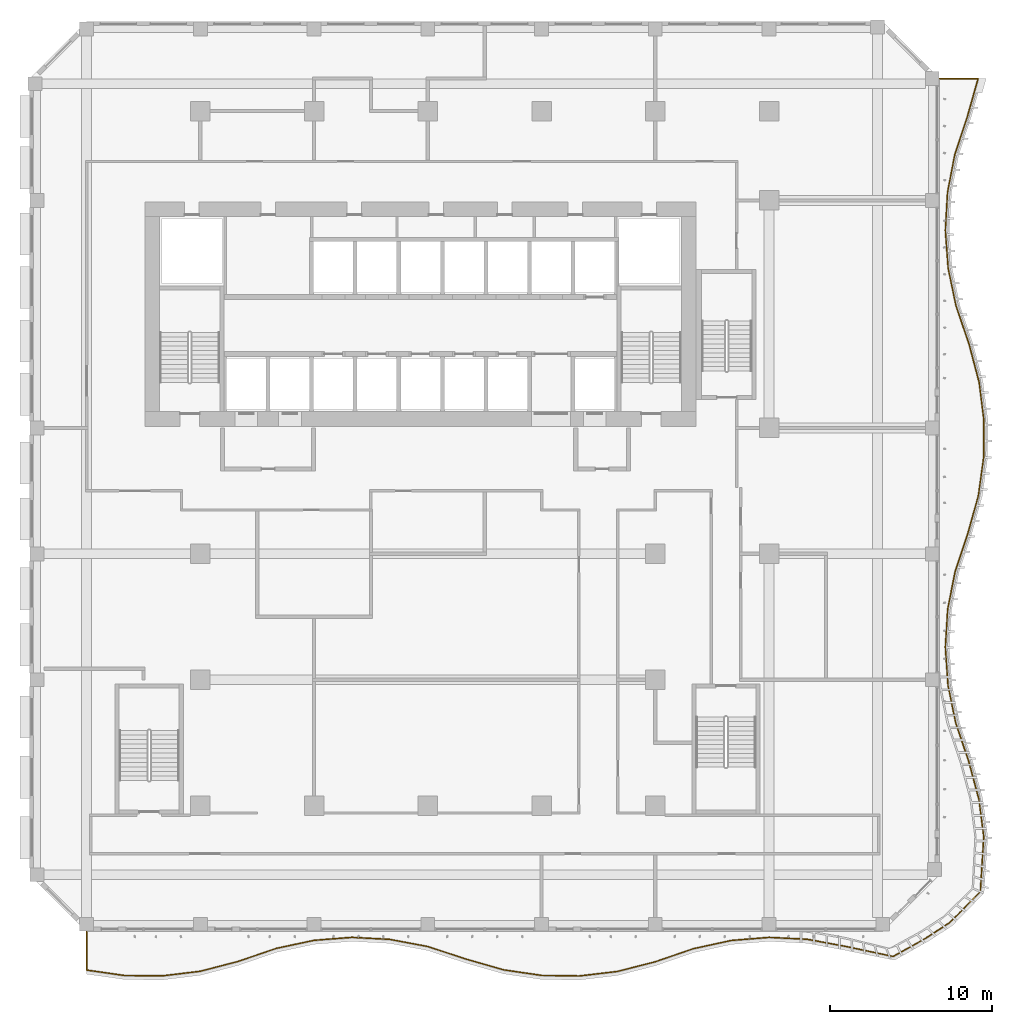
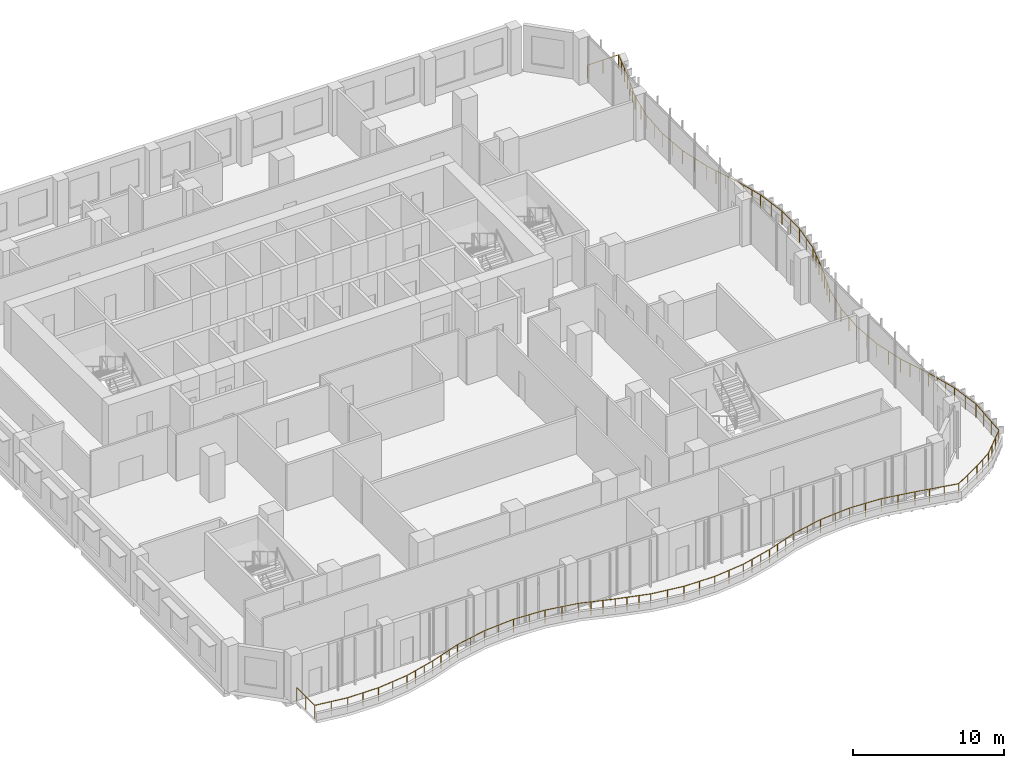
# One storey, part 20 of 26: 1 railing.
"""IFC4 building model written with IfcOpenShell, lengths in metres."""

from ifc_helpers import new_model, si_unit, direction, frame, origin, origin_2d, place, context, subcontext, project, spatial, circle, extrude, material, type_object, element, save


model = new_model("IFC4")

# Units and contexts
model_context = context("Model", 3, precision=1e-05, world=origin(), true_north=direction((0.0, 1.0)))
body_context = subcontext(model_context, "Body", "Model", "MODEL_VIEW")
ifc_project = project(units=[si_unit("LENGTHUNIT", "METRE"), si_unit("AREAUNIT", "SQUARE_METRE"), si_unit("VOLUMEUNIT", "CUBIC_METRE"), si_unit("PLANEANGLEUNIT", "RADIAN"), si_unit("MASSUNIT", "GRAM", prefix="KILO")], contexts=[model_context])

# Site, building, storey
site_placement = place(None, origin())
site = spatial("IfcSite", under=ifc_project, at=site_placement, CompositionType="ELEMENT")
building_placement = place(site_placement, origin())
building = spatial("IfcBuilding", under=site, at=building_placement, Name="Kilnfold Tower and Market Hall", CompositionType="ELEMENT")
storey_placement = place(building_placement, frame((0.0, 0.0, 108.60009765625)))
storey = spatial("IfcBuildingStorey", under=building, at=storey_placement, Name="L25", CompositionType="ELEMENT", Elevation=108.60009765625)

# Railing
ifc_material = material(Name="Stainless steel and laminated glass", Category="steel")
railing_type = type_object("IfcRailingType", Name="GUARD 1100", PredefinedType="GUARDRAIL", material=ifc_material)
railing_placement = place(storey_placement, frame((-19.5, -23.0, 0.0)))
element("IfcRailing", 1, at=railing_placement, inside=storey, type_object=railing_type, Name="Guard balcony L25", PredefinedType="GUARDRAIL", context=body_context, shape_type="SweptSolid", body=[
    extrude(circle(Radius=0.02490234375, at=origin_2d()), frame((0.0, 0.0, 1.0751953125), z_axis=(0.0, -1.0, 0.0), x_axis=(1.0, 0.0, 0.0)), (0.0, 0.0, 1.0), 2.3671875),
    extrude(circle(Radius=0.02490234375, at=origin_2d()), frame((0.0, -2.3671875, 1.0751953125), z_axis=(0.990011552174, -0.140986263734, 0.0), x_axis=(0.140986263734, 0.990011552174, 0.0)), (0.0, 0.0, 1.0), 2.356689453125),
    extrude(circle(Radius=0.02490234375, at=origin_2d()), frame((2.333251953125, -2.699462890625, 1.0751953125), z_axis=(0.99995164291, -0.009834217873, 0.0), x_axis=(0.009834217873, 0.99995164291, 0.0)), (0.0, 0.0, 1.0), 2.33349609375),
    extrude(circle(Radius=0.02490234375, at=origin_2d()), frame((4.666748046875, -2.722412109375, 1.0751953125), z_axis=(0.9926519646, 0.121004451058, 0.0), x_axis=(-0.121004451058, 0.9926519646, 0.0)), (0.0, 0.0, 1.0), 2.3505859375),
    extrude(circle(Radius=0.02490234375, at=origin_2d()), frame((7.0, -2.43798828125, 1.0751953125), z_axis=(0.967694646686, 0.25212510937, 0.0), x_axis=(-0.25212510937, 0.967694646686, 0.0)), (0.0, 0.0, 1.0), 2.4111328125),
    extrude(circle(Radius=0.02490234375, at=origin_2d()), frame((9.333251953125, -1.830078125, 1.0751953125), z_axis=(0.945916447437, 0.324410348891, 0.0), x_axis=(-0.324410348891, 0.945916447437, 0.0)), (0.0, 0.0, 1.0), 2.466796875),
    extrude(circle(Radius=0.02490234375, at=origin_2d()), frame((11.666748046875, -1.02978515625, 1.0751953125), z_axis=(0.978030963567, 0.20845967069, 0.0), x_axis=(-0.20845967069, 0.978030963567, 0.0)), (0.0, 0.0, 1.0), 2.3857421875),
    extrude(circle(Radius=0.02490234375, at=origin_2d()), frame((14.0, -0.532470703125, 1.0751953125), z_axis=(0.996999617386, 0.077406478613, 0.0), x_axis=(-0.077406478613, 0.996999617386, 0.0)), (0.0, 0.0, 1.0), 2.34033203125),
    extrude(circle(Radius=0.02490234375, at=origin_2d()), frame((16.333251953125, -0.351318359375, 1.0751953125), z_axis=(0.998562745725, -0.053595175618, 0.0), x_axis=(0.053595175618, 0.998562745725, 0.0)), (0.0, 0.0, 1.0), 2.3369140625),
    extrude(circle(Radius=0.02490234375, at=origin_2d()), frame((18.666748046875, -0.4765625, 1.0751953125), z_axis=(0.982815094306, -0.184592769099, 0.0), x_axis=(0.184592769099, 0.982815094306, 0.0)), (0.0, 0.0, 1.0), 2.3740234375),
    extrude(circle(Radius=0.02490234375, at=origin_2d()), frame((21.0, -0.914794921875, 1.0751953125), z_axis=(0.949918413858, -0.312498011214, 0.0), x_axis=(0.312498011214, 0.949918413858, 0.0)), (0.0, 0.0, 1.0), 2.456298828125),
    extrude(circle(Radius=0.02490234375, at=origin_2d()), frame((23.333251953125, -1.682373046875, 1.0751953125), z_axis=(0.961174049418, -0.27594283235, 0.0), x_axis=(0.27594283235, 0.961174049418, 0.0)), (0.0, 0.0, 1.0), 2.427734375),
    extrude(circle(Radius=0.02490234375, at=origin_2d()), frame((25.666748046875, -2.352294921875, 1.0751953125), z_axis=(0.989454912828, -0.144841207811, 0.0), x_axis=(0.144841207811, 0.989454912828, 0.0)), (0.0, 0.0, 1.0), 2.358154296875),
    extrude(circle(Radius=0.02490234375, at=origin_2d()), frame((28.0, -2.69384765625, 1.0751953125), z_axis=(0.999903179563, -0.013915153592, 0.0), x_axis=(0.013915153592, 0.999903179563, 0.0)), (0.0, 0.0, 1.0), 2.33349609375),
    extrude(circle(Radius=0.02490234375, at=origin_2d()), frame((30.333251953125, -2.726318359375, 1.0751953125), z_axis=(0.993120072898, 0.117100473128, 0.0), x_axis=(-0.117100473128, 0.993120072898, 0.0)), (0.0, 0.0, 1.0), 2.349609375),
    extrude(circle(Radius=0.02490234375, at=origin_2d()), frame((32.666748046875, -2.451171875, 1.0751953125), z_axis=(0.968725117024, 0.248136348904, 0.0), x_axis=(-0.248136348904, 0.968725117024, 0.0)), (0.0, 0.0, 1.0), 2.40869140625),
    extrude(circle(Radius=0.02490234375, at=origin_2d()), frame((35.0, -1.853515625, 1.0751953125), z_axis=(0.945480166669, 0.325679680723, 0.0), x_axis=(-0.325679680723, 0.945480166669, 0.0)), (0.0, 0.0, 1.0), 2.4677734375),
    extrude(circle(Radius=0.02490234375, at=origin_2d()), frame((37.333251953125, -1.0498046875, 1.0751953125), z_axis=(0.977193892437, 0.212348997132, 0.0), x_axis=(-0.212348997132, 0.977193892437, 0.0)), (0.0, 0.0, 1.0), 2.387939453125),
    extrude(circle(Radius=0.02490234375, at=origin_2d()), frame((39.666748046875, -0.542724609375, 1.0751953125), z_axis=(0.996685996413, 0.081345095449, 0.0), x_axis=(-0.081345095449, 0.996685996413, 0.0)), (0.0, 0.0, 1.0), 2.341064453125),
    extrude(circle(Radius=0.02490234375, at=origin_2d()), frame((42.0, -0.352294921875, 1.0751953125), z_axis=(0.998767149705, -0.049640514399, 0.0), x_axis=(0.049640514399, 0.998767149705, 0.0)), (0.0, 0.0, 1.0), 2.336181640625),
    extrude(circle(Radius=0.02490234375, at=origin_2d()), frame((44.333251953125, -0.46826171875, 1.0751953125), z_axis=(0.983557239518, -0.180596668273, 0.0), x_axis=(0.180596668273, 0.983557239518, 0.0)), (0.0, 0.0, 1.0), 2.37255859375),
    extrude(circle(Radius=0.02490234375, at=origin_2d()), frame((46.666748046875, -0.896728515625, 1.0751953125), z_axis=(0.977937632993, -0.208897070291, 0.0), x_axis=(0.208897070291, 0.977937632993, 0.0)), (0.0, 0.0, 1.0), 3.033935546875),
    extrude(circle(Radius=0.02490234375, at=origin_2d()), frame((49.6337890625, -1.530517578125, 1.0751953125), z_axis=(0.872179449428, 0.489186066845, 0.0), x_axis=(-0.489186066845, 0.872179449428, 0.0)), (0.0, 0.0, 1.0), 2.37255859375),
    extrude(circle(Radius=0.02490234375, at=origin_2d()), frame((51.703125, -0.369873046875, 1.0751953125), z_axis=(0.837774747833, 0.546015999668, 0.0), x_axis=(-0.546015999668, 0.837774747833, 0.0)), (0.0, 0.0, 1.0), 1.68603515625),
    extrude(circle(Radius=0.02490234375, at=origin_2d()), frame((53.11572265625, 0.55078125, 1.0751953125), z_axis=(0.702457611721, 0.711725581763, 0.0), x_axis=(-0.711725581763, 0.702457611721, 0.0)), (0.0, 0.0, 1.0), 2.68701171875),
    extrude(circle(Radius=0.02490234375, at=origin_2d()), frame((55.003173828125, 2.463134765625, 1.0751953125), z_axis=(0.062468310849, 0.998046947864, 0.0), x_axis=(-0.998046947864, 0.062468310849, 0.0)), (0.0, 0.0, 1.0), 3.376708984375),
    extrude(circle(Radius=0.02490234375, at=origin_2d()), frame((55.214111328125, 5.833251953125, 1.0751953125), z_axis=(-0.129064185476, 0.991636241788, 0.0), x_axis=(-0.991636241788, -0.129064185476, 0.0)), (0.0, 0.0, 1.0), 2.353271484375),
    extrude(circle(Radius=0.02490234375, at=origin_2d()), frame((54.910400390625, 8.166748046875, 1.0751953125), z_axis=(-0.260064055395, 0.965591366517, 0.0), x_axis=(-0.965591366517, -0.260064055395, 0.0)), (0.0, 0.0, 1.0), 2.41650390625),
    extrude(circle(Radius=0.02490234375, at=origin_2d()), frame((54.281982421875, 10.5, 1.0751953125), z_axis=(-0.321424863365, 0.94693508606, 0.0), x_axis=(-0.94693508606, -0.321424863365, 0.0)), (0.0, 0.0, 1.0), 2.464111328125),
    extrude(circle(Radius=0.02490234375, at=origin_2d()), frame((53.489990234375, 12.833251953125, 1.0751953125), z_axis=(-0.200391764063, 0.979715847017, 0.0), x_axis=(-0.979715847017, -0.200391764063, 0.0)), (0.0, 0.0, 1.0), 2.3818359375),
    extrude(circle(Radius=0.02490234375, at=origin_2d()), frame((53.0126953125, 15.166748046875, 1.0751953125), z_axis=(-0.069518543392, 0.997580659458, 0.0), x_axis=(-0.997580659458, -0.069518543392, 0.0)), (0.0, 0.0, 1.0), 2.3388671875),
    extrude(circle(Radius=0.02490234375, at=origin_2d()), frame((52.85009765625, 17.5, 1.0751953125), z_axis=(0.06151350653, 0.998106251115, 0.0), x_axis=(-0.998106251115, 0.06151350653, 0.0)), (0.0, 0.0, 1.0), 2.337646484375),
    extrude(circle(Radius=0.02490234375, at=origin_2d()), frame((52.993896484375, 19.833251953125, 1.0751953125), z_axis=(0.192600555184, 0.981277242242, 0.0), x_axis=(-0.981277242242, 0.192600555184, 0.0)), (0.0, 0.0, 1.0), 2.3779296875),
    extrude(circle(Radius=0.02490234375, at=origin_2d()), frame((53.451904296875, 22.166748046875, 1.0751953125), z_axis=(0.317418207313, 0.948285654044, 0.0), x_axis=(-0.948285654044, 0.317418207313, 0.0)), (0.0, 0.0, 1.0), 2.46044921875),
    extrude(circle(Radius=0.02490234375, at=origin_2d()), frame((54.23291015625, 24.5, 1.0751953125), z_axis=(0.268044177789, 0.963406621709, 0.0), x_axis=(-0.963406621709, 0.268044177789, 0.0)), (0.0, 0.0, 1.0), 2.421875),
    extrude(circle(Radius=0.02490234375, at=origin_2d()), frame((54.882080078125, 26.833251953125, 1.0751953125), z_axis=(0.136907434558, 0.990583845196, 0.0), x_axis=(-0.990583845196, 0.136907434558, 0.0)), (0.0, 0.0, 1.0), 2.355712890625),
    extrude(circle(Radius=0.02490234375, at=origin_2d()), frame((55.20458984375, 29.166748046875, 1.0751953125), z_axis=(0.005964108635, 0.999982214546, 0.0), x_axis=(-0.999982214546, 0.005964108635, 0.0)), (0.0, 0.0, 1.0), 2.333251953125),
    extrude(circle(Radius=0.02490234375, at=origin_2d()), frame((55.218505859375, 31.5, 1.0751953125), z_axis=(-0.125095157651, 0.992144748276, 0.0), x_axis=(-0.992144748276, -0.125095157651, 0.0)), (0.0, 0.0, 1.0), 2.351806640625),
    extrude(circle(Radius=0.02490234375, at=origin_2d()), frame((54.92431640625, 33.833251953125, 1.0751953125), z_axis=(-0.25607602288, 0.966656645612, 0.0), x_axis=(-0.966656645612, -0.25607602288, 0.0)), (0.0, 0.0, 1.0), 2.4140625),
    extrude(circle(Radius=0.02490234375, at=origin_2d()), frame((54.30615234375, 36.166748046875, 1.0751953125), z_axis=(-0.323022719248, 0.946391210256, 0.0), x_axis=(-0.946391210256, -0.323022719248, 0.0)), (0.0, 0.0, 1.0), 2.46533203125),
    extrude(circle(Radius=0.02490234375, at=origin_2d()), frame((53.509765625, 38.5, 1.0751953125), z_axis=(-0.204440962261, 0.978878895957, 0.0), x_axis=(-0.978878895957, -0.204440962261, 0.0)), (0.0, 0.0, 1.0), 2.383544921875),
    extrude(circle(Radius=0.02490234375, at=origin_2d()), frame((53.0224609375, 40.833251953125, 1.0751953125), z_axis=(-0.073456589712, 0.997298415434, 0.0), x_axis=(-0.997298415434, -0.073456589712, 0.0)), (0.0, 0.0, 1.0), 2.33984375),
    extrude(circle(Radius=0.02490234375, at=origin_2d()), frame((52.8505859375, 43.166748046875, 1.0751953125), z_axis=(0.057558492913, 0.99834213569, 0.0), x_axis=(-0.99834213569, 0.057558492913, 0.0)), (0.0, 0.0, 1.0), 2.337158203125),
    extrude(circle(Radius=0.02490234375, at=origin_2d()), frame((52.985107421875, 45.5, 1.0751953125), z_axis=(0.18856153865, 0.982061375955, 0.0), x_axis=(-0.982061375955, 0.18856153865, 0.0)), (0.0, 0.0, 1.0), 2.3759765625),
    extrude(circle(Radius=0.02490234375, at=origin_2d()), frame((53.43310546875, 47.833251953125, 1.0751953125), z_axis=(0.315065767325, 0.94906984056, 0.0), x_axis=(-0.94906984056, 0.315065767325, 0.0)), (0.0, 0.0, 1.0), 2.458740234375),
    extrude(circle(Radius=0.02490234375, at=origin_2d()), frame((54.207763671875, 50.166748046875, 1.0751953125), z_axis=(0.271967140438, 0.962306538751, 0.0), x_axis=(-0.962306538751, 0.271967140438, 0.0)), (0.0, 0.0, 1.0), 2.424560546875),
    extrude(circle(Radius=0.02490234375, at=origin_2d()), frame((54.8671875, 52.5, 1.0751953125), z_axis=(-1.0, 0.0, 0.0), x_axis=(0.0, -1.0, 0.0)), (0.0, 0.0, 1.0), 2.3671875),
    extrude(circle(Radius=0.02490234375, at=origin_2d()), origin(), (0.0, 0.0, 1.0), 1.050048828125),
    extrude(circle(Radius=0.02490234375, at=origin_2d()), frame((0.0, -1.18359375, 0.0)), (0.0, 0.0, 1.0), 1.050048828125),
    extrude(circle(Radius=0.02490234375, at=origin_2d()), frame((0.0, -2.3671875, 0.0)), (0.0, 0.0, 1.0), 1.050048828125),
    extrude(circle(Radius=0.02490234375, at=origin_2d()), frame((1.16650390625, -2.533203125, 0.0)), (0.0, 0.0, 1.0), 1.050048828125),
    extrude(circle(Radius=0.02490234375, at=origin_2d()), frame((2.333251953125, -2.699462890625, 0.0)), (0.0, 0.0, 1.0), 1.050048828125),
    extrude(circle(Radius=0.02490234375, at=origin_2d()), frame((3.5, -2.7109375, 0.0)), (0.0, 0.0, 1.0), 1.050048828125),
    extrude(circle(Radius=0.02490234375, at=origin_2d()), frame((4.666748046875, -2.722412109375, 0.0)), (0.0, 0.0, 1.0), 1.050048828125),
    extrude(circle(Radius=0.02490234375, at=origin_2d()), frame((5.83349609375, -2.580078125, 0.0)), (0.0, 0.0, 1.0), 1.050048828125),
    extrude(circle(Radius=0.02490234375, at=origin_2d()), frame((7.0, -2.43798828125, 0.0)), (0.0, 0.0, 1.0), 1.050048828125),
    extrude(circle(Radius=0.02490234375, at=origin_2d()), frame((7.77783203125, -2.2353515625, 0.0)), (0.0, 0.0, 1.0), 1.050048828125),
    extrude(circle(Radius=0.02490234375, at=origin_2d()), frame((8.555419921875, -2.03271484375, 0.0)), (0.0, 0.0, 1.0), 1.050048828125),
    extrude(circle(Radius=0.02490234375, at=origin_2d()), frame((9.333251953125, -1.830078125, 0.0)), (0.0, 0.0, 1.0), 1.050048828125),
    extrude(circle(Radius=0.02490234375, at=origin_2d()), frame((10.111083984375, -1.563232421875, 0.0)), (0.0, 0.0, 1.0), 1.050048828125),
    extrude(circle(Radius=0.02490234375, at=origin_2d()), frame((10.888916015625, -1.296630859375, 0.0)), (0.0, 0.0, 1.0), 1.050048828125),
    extrude(circle(Radius=0.02490234375, at=origin_2d()), frame((11.666748046875, -1.02978515625, 0.0)), (0.0, 0.0, 1.0), 1.050048828125),
    extrude(circle(Radius=0.02490234375, at=origin_2d()), frame((12.83349609375, -0.78125, 0.0)), (0.0, 0.0, 1.0), 1.050048828125),
    extrude(circle(Radius=0.02490234375, at=origin_2d()), frame((14.0, -0.532470703125, 0.0)), (0.0, 0.0, 1.0), 1.050048828125),
    extrude(circle(Radius=0.02490234375, at=origin_2d()), frame((15.16650390625, -0.44189453125, 0.0)), (0.0, 0.0, 1.0), 1.050048828125),
    extrude(circle(Radius=0.02490234375, at=origin_2d()), frame((16.333251953125, -0.351318359375, 0.0)), (0.0, 0.0, 1.0), 1.050048828125),
    extrude(circle(Radius=0.02490234375, at=origin_2d()), frame((17.5, -0.4140625, 0.0)), (0.0, 0.0, 1.0), 1.050048828125),
    extrude(circle(Radius=0.02490234375, at=origin_2d()), frame((18.666748046875, -0.4765625, 0.0)), (0.0, 0.0, 1.0), 1.050048828125),
    extrude(circle(Radius=0.02490234375, at=origin_2d()), frame((19.83349609375, -0.69580078125, 0.0)), (0.0, 0.0, 1.0), 1.050048828125),
    extrude(circle(Radius=0.02490234375, at=origin_2d()), frame((21.0, -0.914794921875, 0.0)), (0.0, 0.0, 1.0), 1.050048828125),
    extrude(circle(Radius=0.02490234375, at=origin_2d()), frame((21.77783203125, -1.170654296875, 0.0)), (0.0, 0.0, 1.0), 1.050048828125),
    extrude(circle(Radius=0.02490234375, at=origin_2d()), frame((22.555419921875, -1.426513671875, 0.0)), (0.0, 0.0, 1.0), 1.050048828125),
    extrude(circle(Radius=0.02490234375, at=origin_2d()), frame((23.333251953125, -1.682373046875, 0.0)), (0.0, 0.0, 1.0), 1.050048828125),
    extrude(circle(Radius=0.02490234375, at=origin_2d()), frame((24.111083984375, -1.90576171875, 0.0)), (0.0, 0.0, 1.0), 1.050048828125),
    extrude(circle(Radius=0.02490234375, at=origin_2d()), frame((24.888916015625, -2.12890625, 0.0)), (0.0, 0.0, 1.0), 1.050048828125),
    extrude(circle(Radius=0.02490234375, at=origin_2d()), frame((25.666748046875, -2.352294921875, 0.0)), (0.0, 0.0, 1.0), 1.050048828125),
    extrude(circle(Radius=0.02490234375, at=origin_2d()), frame((26.83349609375, -2.52294921875, 0.0)), (0.0, 0.0, 1.0), 1.050048828125),
    extrude(circle(Radius=0.02490234375, at=origin_2d()), frame((28.0, -2.69384765625, 0.0)), (0.0, 0.0, 1.0), 1.050048828125),
    extrude(circle(Radius=0.02490234375, at=origin_2d()), frame((29.16650390625, -2.7099609375, 0.0)), (0.0, 0.0, 1.0), 1.050048828125),
    extrude(circle(Radius=0.02490234375, at=origin_2d()), frame((30.333251953125, -2.726318359375, 0.0)), (0.0, 0.0, 1.0), 1.050048828125),
    extrude(circle(Radius=0.02490234375, at=origin_2d()), frame((31.5, -2.5888671875, 0.0)), (0.0, 0.0, 1.0), 1.050048828125),
    extrude(circle(Radius=0.02490234375, at=origin_2d()), frame((32.666748046875, -2.451171875, 0.0)), (0.0, 0.0, 1.0), 1.050048828125),
    extrude(circle(Radius=0.02490234375, at=origin_2d()), frame((33.444580078125, -2.251953125, 0.0)), (0.0, 0.0, 1.0), 1.050048828125),
    extrude(circle(Radius=0.02490234375, at=origin_2d()), frame((34.22216796875, -2.052734375, 0.0)), (0.0, 0.0, 1.0), 1.050048828125),
    extrude(circle(Radius=0.02490234375, at=origin_2d()), frame((35.0, -1.853515625, 0.0)), (0.0, 0.0, 1.0), 1.050048828125),
    extrude(circle(Radius=0.02490234375, at=origin_2d()), frame((35.77783203125, -1.585693359375, 0.0)), (0.0, 0.0, 1.0), 1.050048828125),
    extrude(circle(Radius=0.02490234375, at=origin_2d()), frame((36.555419921875, -1.317626953125, 0.0)), (0.0, 0.0, 1.0), 1.050048828125),
    extrude(circle(Radius=0.02490234375, at=origin_2d()), frame((37.333251953125, -1.0498046875, 0.0)), (0.0, 0.0, 1.0), 1.050048828125),
    extrude(circle(Radius=0.02490234375, at=origin_2d()), frame((38.5, -0.79638671875, 0.0)), (0.0, 0.0, 1.0), 1.050048828125),
    extrude(circle(Radius=0.02490234375, at=origin_2d()), frame((39.666748046875, -0.542724609375, 0.0)), (0.0, 0.0, 1.0), 1.050048828125),
    extrude(circle(Radius=0.02490234375, at=origin_2d()), frame((40.83349609375, -0.447509765625, 0.0)), (0.0, 0.0, 1.0), 1.050048828125),
    extrude(circle(Radius=0.02490234375, at=origin_2d()), frame((42.0, -0.352294921875, 0.0)), (0.0, 0.0, 1.0), 1.050048828125),
    extrude(circle(Radius=0.02490234375, at=origin_2d()), frame((43.16650390625, -0.41015625, 0.0)), (0.0, 0.0, 1.0), 1.050048828125),
    extrude(circle(Radius=0.02490234375, at=origin_2d()), frame((44.333251953125, -0.46826171875, 0.0)), (0.0, 0.0, 1.0), 1.050048828125),
    extrude(circle(Radius=0.02490234375, at=origin_2d()), frame((45.5, -0.6826171875, 0.0)), (0.0, 0.0, 1.0), 1.050048828125),
    extrude(circle(Radius=0.02490234375, at=origin_2d()), frame((46.666748046875, -0.896728515625, 0.0)), (0.0, 0.0, 1.0), 1.050048828125),
    extrude(circle(Radius=0.02490234375, at=origin_2d()), frame((47.65576171875, -1.10791015625, 0.0)), (0.0, 0.0, 1.0), 1.050048828125),
    extrude(circle(Radius=0.02490234375, at=origin_2d()), frame((48.644775390625, -1.3193359375, 0.0)), (0.0, 0.0, 1.0), 1.050048828125),
    extrude(circle(Radius=0.02490234375, at=origin_2d()), frame((49.6337890625, -1.530517578125, 0.0)), (0.0, 0.0, 1.0), 1.050048828125),
    extrude(circle(Radius=0.02490234375, at=origin_2d()), frame((50.66845703125, -0.9501953125, 0.0)), (0.0, 0.0, 1.0), 1.050048828125),
    extrude(circle(Radius=0.02490234375, at=origin_2d()), frame((51.703125, -0.369873046875, 0.0)), (0.0, 0.0, 1.0), 1.050048828125),
    extrude(circle(Radius=0.02490234375, at=origin_2d()), frame((52.409423828125, 0.09033203125, 0.0)), (0.0, 0.0, 1.0), 1.050048828125),
    extrude(circle(Radius=0.02490234375, at=origin_2d()), frame((53.11572265625, 0.55078125, 0.0)), (0.0, 0.0, 1.0), 1.050048828125),
    extrude(circle(Radius=0.02490234375, at=origin_2d()), frame((53.744873046875, 1.188232421875, 0.0)), (0.0, 0.0, 1.0), 1.050048828125),
    extrude(circle(Radius=0.02490234375, at=origin_2d()), frame((54.3740234375, 1.82568359375, 0.0)), (0.0, 0.0, 1.0), 1.050048828125),
    extrude(circle(Radius=0.02490234375, at=origin_2d()), frame((55.003173828125, 2.463134765625, 0.0)), (0.0, 0.0, 1.0), 1.050048828125),
    extrude(circle(Radius=0.02490234375, at=origin_2d()), frame((55.073486328125, 3.58642578125, 0.0)), (0.0, 0.0, 1.0), 1.050048828125),
    extrude(circle(Radius=0.02490234375, at=origin_2d()), frame((55.143798828125, 4.7099609375, 0.0)), (0.0, 0.0, 1.0), 1.050048828125),
    extrude(circle(Radius=0.02490234375, at=origin_2d()), frame((55.214111328125, 5.833251953125, 0.0)), (0.0, 0.0, 1.0), 1.050048828125),
    extrude(circle(Radius=0.02490234375, at=origin_2d()), frame((55.062255859375, 7.0, 0.0)), (0.0, 0.0, 1.0), 1.050048828125),
    extrude(circle(Radius=0.02490234375, at=origin_2d()), frame((54.910400390625, 8.166748046875, 0.0)), (0.0, 0.0, 1.0), 1.050048828125),
    extrude(circle(Radius=0.02490234375, at=origin_2d()), frame((54.700927734375, 8.944580078125, 0.0)), (0.0, 0.0, 1.0), 1.050048828125),
    extrude(circle(Radius=0.02490234375, at=origin_2d()), frame((54.491455078125, 9.72216796875, 0.0)), (0.0, 0.0, 1.0), 1.050048828125),
    extrude(circle(Radius=0.02490234375, at=origin_2d()), frame((54.281982421875, 10.5, 0.0)), (0.0, 0.0, 1.0), 1.050048828125),
    extrude(circle(Radius=0.02490234375, at=origin_2d()), frame((54.01806640625, 11.27783203125, 0.0)), (0.0, 0.0, 1.0), 1.050048828125),
    extrude(circle(Radius=0.02490234375, at=origin_2d()), frame((53.75390625, 12.055419921875, 0.0)), (0.0, 0.0, 1.0), 1.050048828125),
    extrude(circle(Radius=0.02490234375, at=origin_2d()), frame((53.489990234375, 12.833251953125, 0.0)), (0.0, 0.0, 1.0), 1.050048828125),
    extrude(circle(Radius=0.02490234375, at=origin_2d()), frame((53.25146484375, 14.0, 0.0)), (0.0, 0.0, 1.0), 1.050048828125),
    extrude(circle(Radius=0.02490234375, at=origin_2d()), frame((53.0126953125, 15.166748046875, 0.0)), (0.0, 0.0, 1.0), 1.050048828125),
    extrude(circle(Radius=0.02490234375, at=origin_2d()), frame((52.931396484375, 16.33349609375, 0.0)), (0.0, 0.0, 1.0), 1.050048828125),
    extrude(circle(Radius=0.02490234375, at=origin_2d()), frame((52.85009765625, 17.5, 0.0)), (0.0, 0.0, 1.0), 1.050048828125),
    extrude(circle(Radius=0.02490234375, at=origin_2d()), frame((52.921875, 18.66650390625, 0.0)), (0.0, 0.0, 1.0), 1.050048828125),
    extrude(circle(Radius=0.02490234375, at=origin_2d()), frame((52.993896484375, 19.833251953125, 0.0)), (0.0, 0.0, 1.0), 1.050048828125),
    extrude(circle(Radius=0.02490234375, at=origin_2d()), frame((53.222900390625, 21.0, 0.0)), (0.0, 0.0, 1.0), 1.050048828125),
    extrude(circle(Radius=0.02490234375, at=origin_2d()), frame((53.451904296875, 22.166748046875, 0.0)), (0.0, 0.0, 1.0), 1.050048828125),
    extrude(circle(Radius=0.02490234375, at=origin_2d()), frame((53.712158203125, 22.944580078125, 0.0)), (0.0, 0.0, 1.0), 1.050048828125),
    extrude(circle(Radius=0.02490234375, at=origin_2d()), frame((53.97265625, 23.72216796875, 0.0)), (0.0, 0.0, 1.0), 1.050048828125),
    extrude(circle(Radius=0.02490234375, at=origin_2d()), frame((54.23291015625, 24.5, 0.0)), (0.0, 0.0, 1.0), 1.050048828125),
    extrude(circle(Radius=0.02490234375, at=origin_2d()), frame((54.44921875, 25.27783203125, 0.0)), (0.0, 0.0, 1.0), 1.050048828125),
    extrude(circle(Radius=0.02490234375, at=origin_2d()), frame((54.665771484375, 26.055419921875, 0.0)), (0.0, 0.0, 1.0), 1.050048828125),
    extrude(circle(Radius=0.02490234375, at=origin_2d()), frame((54.882080078125, 26.833251953125, 0.0)), (0.0, 0.0, 1.0), 1.050048828125),
    extrude(circle(Radius=0.02490234375, at=origin_2d()), frame((55.04345703125, 28.0, 0.0)), (0.0, 0.0, 1.0), 1.050048828125),
    extrude(circle(Radius=0.02490234375, at=origin_2d()), frame((55.20458984375, 29.166748046875, 0.0)), (0.0, 0.0, 1.0), 1.050048828125),
    extrude(circle(Radius=0.02490234375, at=origin_2d()), frame((55.21142578125, 30.33349609375, 0.0)), (0.0, 0.0, 1.0), 1.050048828125),
    extrude(circle(Radius=0.02490234375, at=origin_2d()), frame((55.218505859375, 31.5, 0.0)), (0.0, 0.0, 1.0), 1.050048828125),
    extrude(circle(Radius=0.02490234375, at=origin_2d()), frame((55.0712890625, 32.66650390625, 0.0)), (0.0, 0.0, 1.0), 1.050048828125),
    extrude(circle(Radius=0.02490234375, at=origin_2d()), frame((54.92431640625, 33.833251953125, 0.0)), (0.0, 0.0, 1.0), 1.050048828125),
    extrude(circle(Radius=0.02490234375, at=origin_2d()), frame((54.71826171875, 34.611083984375, 0.0)), (0.0, 0.0, 1.0), 1.050048828125),
    extrude(circle(Radius=0.02490234375, at=origin_2d()), frame((54.51220703125, 35.388916015625, 0.0)), (0.0, 0.0, 1.0), 1.050048828125),
    extrude(circle(Radius=0.02490234375, at=origin_2d()), frame((54.30615234375, 36.166748046875, 0.0)), (0.0, 0.0, 1.0), 1.050048828125),
    extrude(circle(Radius=0.02490234375, at=origin_2d()), frame((54.040771484375, 36.944580078125, 0.0)), (0.0, 0.0, 1.0), 1.050048828125),
    extrude(circle(Radius=0.02490234375, at=origin_2d()), frame((53.775146484375, 37.72216796875, 0.0)), (0.0, 0.0, 1.0), 1.050048828125),
    extrude(circle(Radius=0.02490234375, at=origin_2d()), frame((53.509765625, 38.5, 0.0)), (0.0, 0.0, 1.0), 1.050048828125),
    extrude(circle(Radius=0.02490234375, at=origin_2d()), frame((53.26611328125, 39.66650390625, 0.0)), (0.0, 0.0, 1.0), 1.050048828125),
    extrude(circle(Radius=0.02490234375, at=origin_2d()), frame((53.0224609375, 40.833251953125, 0.0)), (0.0, 0.0, 1.0), 1.050048828125),
    extrude(circle(Radius=0.02490234375, at=origin_2d()), frame((52.9365234375, 42.0, 0.0)), (0.0, 0.0, 1.0), 1.050048828125),
    extrude(circle(Radius=0.02490234375, at=origin_2d()), frame((52.8505859375, 43.166748046875, 0.0)), (0.0, 0.0, 1.0), 1.050048828125),
    extrude(circle(Radius=0.02490234375, at=origin_2d()), frame((52.91796875, 44.33349609375, 0.0)), (0.0, 0.0, 1.0), 1.050048828125),
    extrude(circle(Radius=0.02490234375, at=origin_2d()), frame((52.985107421875, 45.5, 0.0)), (0.0, 0.0, 1.0), 1.050048828125),
    extrude(circle(Radius=0.02490234375, at=origin_2d()), frame((53.208984375, 46.66650390625, 0.0)), (0.0, 0.0, 1.0), 1.050048828125),
    extrude(circle(Radius=0.02490234375, at=origin_2d()), frame((53.43310546875, 47.833251953125, 0.0)), (0.0, 0.0, 1.0), 1.050048828125),
    extrude(circle(Radius=0.02490234375, at=origin_2d()), frame((53.69140625, 48.611083984375, 0.0)), (0.0, 0.0, 1.0), 1.050048828125),
    extrude(circle(Radius=0.02490234375, at=origin_2d()), frame((53.949462890625, 49.388916015625, 0.0)), (0.0, 0.0, 1.0), 1.050048828125),
    extrude(circle(Radius=0.02490234375, at=origin_2d()), frame((54.207763671875, 50.166748046875, 0.0)), (0.0, 0.0, 1.0), 1.050048828125),
    extrude(circle(Radius=0.02490234375, at=origin_2d()), frame((54.427490234375, 50.944580078125, 0.0)), (0.0, 0.0, 1.0), 1.050048828125),
    extrude(circle(Radius=0.02490234375, at=origin_2d()), frame((54.6474609375, 51.72216796875, 0.0)), (0.0, 0.0, 1.0), 1.050048828125),
    extrude(circle(Radius=0.02490234375, at=origin_2d()), frame((54.8671875, 52.5, 0.0)), (0.0, 0.0, 1.0), 1.050048828125),
    extrude(circle(Radius=0.02490234375, at=origin_2d()), frame((53.68359375, 52.5, 0.0)), (0.0, 0.0, 1.0), 1.050048828125),
    extrude(circle(Radius=0.02490234375, at=origin_2d()), frame((52.5, 52.5, 0.0)), (0.0, 0.0, 1.0), 1.050048828125),
])

save(model, "model.ifc")
